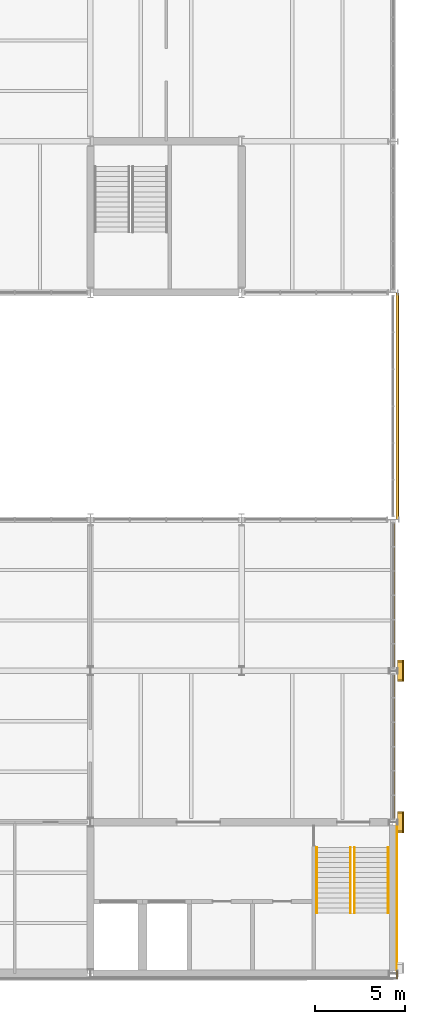
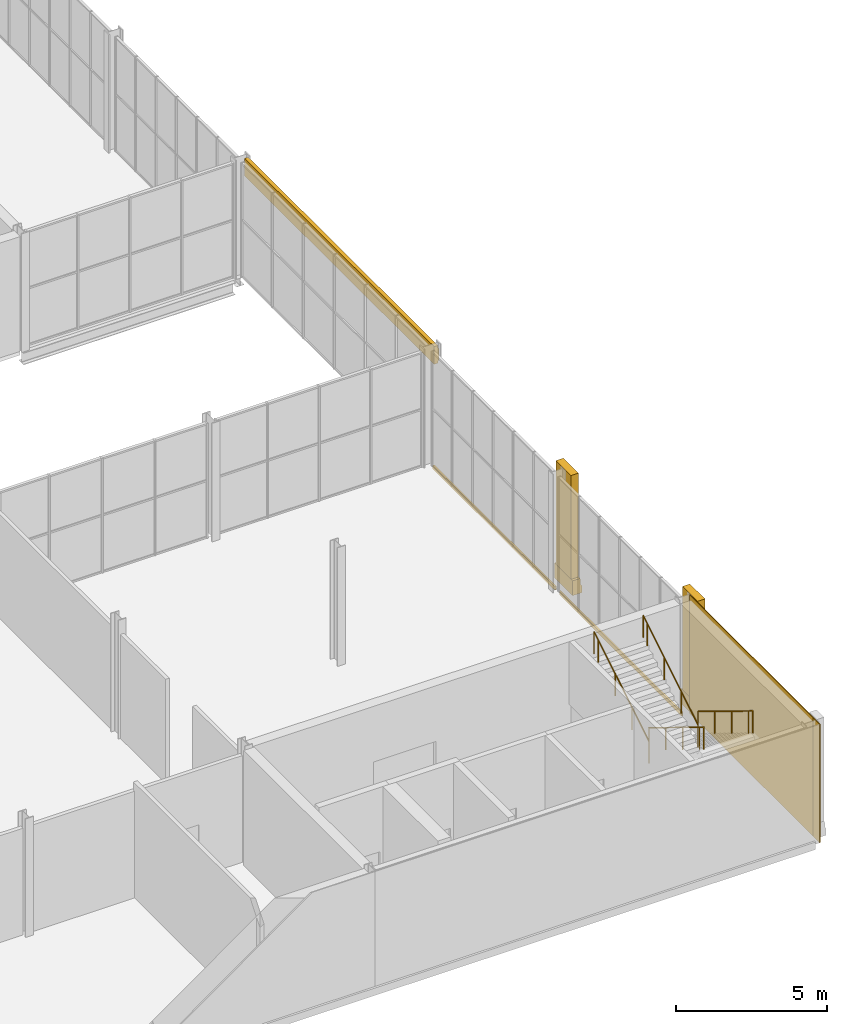
# One storey, part 57 of 61: 9 coverings, 4 railings.
"""IFC4 building model written with IfcOpenShell, lengths in metres."""

from ifc_helpers import new_model, si_unit, direction, frame, origin, origin_2d, place, context, subcontext, project, spatial, polyline, rectangle, circle, outline, extrude, material, layer, layer_set, type_object, element, save


model = new_model("IFC4")

# Units and contexts
model_context = context("Model", 3, precision=1e-05, world=origin(), true_north=direction((0.0, 1.0)))
body_context = subcontext(model_context, "Body", "Model", "MODEL_VIEW")
ifc_project = project(units=[si_unit("LENGTHUNIT", "METRE"), si_unit("AREAUNIT", "SQUARE_METRE"), si_unit("VOLUMEUNIT", "CUBIC_METRE"), si_unit("PLANEANGLEUNIT", "RADIAN"), si_unit("MASSUNIT", "GRAM", prefix="KILO")], contexts=[model_context])

# Site, building, storey
site_placement = place(None, origin())
site = spatial("IfcSite", under=ifc_project, at=site_placement, CompositionType="ELEMENT")
building_placement = place(site_placement, origin())
building = spatial("IfcBuilding", under=site, at=building_placement, Name="Galleria Vessillo Department Store", CompositionType="ELEMENT")
storey_placement = place(building_placement, frame((0.0, 0.0, 11.39990234375)))
storey = spatial("IfcBuildingStorey", under=building, at=storey_placement, Name="L02", CompositionType="ELEMENT", Elevation=11.39990234375)

# Coverings
ifc_material_1 = material(Name="Lime plaster (intonaco) ochre")
ifc_layer_1 = layer(ifc_material_1, 0.030029296875)
ifc_layer_set_1 = layer_set([ifc_layer_1], Name="Lime plaster (intonaco) ochre")
covering_type_1 = type_object("IfcCoveringType", Name="Lime plaster render 30 mm", PredefinedType="CLADDING", material=ifc_layer_set_1)
covering_1_placement = place(storey_placement, frame((117.81494140625, -0.06494140625, 0.0), z_axis=(0.0, 0.0, 1.0), x_axis=(1.0, 0.0, 0.0)))
element("IfcCovering", 1, at=covering_1_placement, inside=storey, type_object=covering_type_1, Name="Corner cladding L02 y=0 east face", PredefinedType="CLADDING", context=body_context, shape_type="SweptSolid", body=[
    extrude(rectangle(XDim=0.030029296875, YDim=0.429931640625, at=origin_2d()), origin(), (0.0, 0.0, 1.0), 4.800048828125),
])
ifc_material_2 = material(Name="Botticino limestone ashlar", Category="masonry")
ifc_layer_2 = layer(ifc_material_2, 0.280029296875)
ifc_layer_set_2 = layer_set([ifc_layer_2], Name="Botticino limestone ashlar")
covering_type_2 = type_object("IfcCoveringType", Name="Limestone giant pilaster 1000 x 280", PredefinedType="CLADDING", material=ifc_layer_set_2)
for number, where, z_axis, x_axis, name in (
    (2, (117.989990234375, 8.39990234375, 0.60009765625), (0.0, 0.0, 1.0), (1.0, 0.0, 0.0), "Giant pilaster E L02 y=8.4"),
    (3, (117.989990234375, 16.800048828125, 0.60009765625), (0.0, 0.0, 1.0), (1.0, 0.0, 0.0), "Giant pilaster E L02 y=16.8"),
):
    element("IfcCovering", number, at=place(storey_placement, frame(where, z_axis=z_axis, x_axis=x_axis)), inside=storey, type_object=covering_type_2, Name=name, PredefinedType="CLADDING", context=body_context, shape_type="SweptSolid", body=[
        extrude(rectangle(XDim=0.280029296875, YDim=1.0, at=origin_2d()), origin(), (0.0, 0.0, 1.0), 4.199951171875),
    ])
ifc_material_3 = material(Name="Botticino limestone ashlar", Category="masonry")
ifc_layer_3 = layer(ifc_material_3, 0.360107421875)
ifc_layer_set_3 = layer_set([ifc_layer_3], Name="Botticino limestone ashlar")
covering_type_3 = type_object("IfcCoveringType", Name="Limestone pilaster base 1200 x 360 x 600", PredefinedType="CLADDING", material=ifc_layer_set_3)
for number, where, z_axis, x_axis, name in (
    (4, (117.60009765625, 9.0, 0.0), (0.0, -1.0, 0.0), (1.0, 0.0, 0.0), "Pilaster base E y=8.4"),
    (5, (117.60009765625, 17.400146484375, 0.0), (0.0, -1.0, 0.0), (1.0, 0.0, 0.0), "Pilaster base E y=16.8"),
):
    element("IfcCovering", number, at=place(storey_placement, frame(where, z_axis=z_axis, x_axis=x_axis)), inside=storey, type_object=covering_type_3, Name=name, PredefinedType="CLADDING", context=body_context, shape_type="SweptSolid", body=[
        extrude(outline(polyline([(0.25, 0.0), (0.610107421875, 0.0), (0.610107421875, 0.280029296875), (0.56005859375, 0.340087890625), (0.56005859375, 0.52001953125), (0.530029296875, 0.60009765625), (0.25, 0.60009765625), (0.25, 0.0)])), origin(), (0.0, 0.0, 1.0), 1.199951171875),
    ])
ifc_material_4 = material(Name="Botticino limestone ashlar", Category="masonry")
ifc_layer_4 = layer(ifc_material_4, 0.179931640625)
ifc_layer_set_4 = layer_set([ifc_layer_4], Name="Botticino limestone ashlar")
covering_type_4 = type_object("IfcCoveringType", Name="Limestone portal head architrave 180 x 720", PredefinedType="MOLDING", material=ifc_layer_set_4)
covering_2_placement = place(storey_placement, frame((117.60009765625, 37.789306640625, 3.934326171875), z_axis=(0.0, -1.0, 0.0), x_axis=(1.0, 0.0, 0.0)))
element("IfcCovering", 6, at=covering_2_placement, inside=storey, type_object=covering_type_4, Name="Portal head architrave east", PredefinedType="MOLDING", context=body_context, shape_type="SweptSolid", body=[
    extrude(outline(polyline([(0.152099609375, 0.0), (0.2919921875, 0.0), (0.2919921875, 0.06005859375), (0.33203125, 0.1201171875), (0.33203125, 0.575927734375), (0.2919921875, 0.635986328125), (0.2919921875, 0.716064453125), (0.152099609375, 0.716064453125), (0.152099609375, 0.0)])), origin(), (0.0, 0.0, 1.0), 12.57861328125),
])
ifc_material_5 = material(Name="Botticino limestone ashlar", Category="masonry")
ifc_layer_5 = layer(ifc_material_5, 0.14990234375)
ifc_layer_set_5 = layer_set([ifc_layer_5], Name="Botticino limestone ashlar")
covering_type_5 = type_object("IfcCoveringType", Name="Limestone slab-edge fascia 150 mm", PredefinedType="CLADDING", material=ifc_layer_set_5)
covering_3_placement = place(storey_placement, frame((117.630126953125, 12.60009765625, -0.14990234375), z_axis=(0.0, 0.0, 1.0), x_axis=(1.0, 0.0, 0.0)))
element("IfcCovering", 7, at=covering_3_placement, inside=storey, type_object=covering_type_5, Name="Slab-edge fascia SE-S-L01-01", PredefinedType="CLADDING", context=body_context, shape_type="SweptSolid", body=[
    extrude(rectangle(XDim=0.06005859375, YDim=8.10009765625, at=origin_2d()), origin(), (0.0, 0.0, 1.0), 0.14990234375),
])
covering_4_placement = place(storey_placement, frame((117.630126953125, 20.998779296875, -0.14990234375), z_axis=(0.0, 0.0, 1.0), x_axis=(1.0, 0.0, 0.0)))
element("IfcCovering", 8, at=covering_4_placement, inside=storey, type_object=covering_type_5, Name="Slab-edge fascia SE-S-L01-02", PredefinedType="CLADDING", context=body_context, shape_type="SweptSolid", body=[
    extrude(rectangle(XDim=0.06005859375, YDim=8.097412109375, at=origin_2d()), origin(), (0.0, 0.0, 1.0), 0.14990234375),
])
ifc_material_6 = material(Name="Botticino limestone ashlar", Category="masonry")
ifc_layer_6 = layer(ifc_material_6, 0.030029296875)
ifc_layer_set_6 = layer_set([ifc_layer_6], Name="Botticino limestone ashlar")
covering_type_6 = type_object("IfcCoveringType", Name="Limestone wall cladding 30 mm", PredefinedType="CLADDING", material=ifc_layer_set_6)
covering_5_placement = place(storey_placement, frame((117.815185546875, 4.260009765625, 0.0), z_axis=(0.0, 0.0, 1.0), x_axis=(1.0, 0.0, 0.0)))
element("IfcCovering", 9, at=covering_5_placement, inside=storey, type_object=covering_type_6, Name="Wall cladding S-CW-GC-EAST-L02", PredefinedType="CLADDING", context=body_context, shape_type="SweptSolid", body=[
    extrude(rectangle(XDim=0.030029296875, YDim=8.219970703125, at=origin_2d()), origin(), (0.0, 0.0, 1.0), 4.800048828125),
])

# Railings
ifc_material_7 = material(Name="Stainless steel tube", Category="steel")
railing_type = type_object("IfcRailingType", Name="Stair handrail steel tube 48 mm", PredefinedType="HANDRAIL", material=ifc_material_7)
for number, where, name in (
    (10, (117.33984375, 7.0, 0.17138671875), "Handrail ST7 L02 flight 1A"),
    (11, (115.4599609375, 7.0, 0.17138671875), "Handrail ST7 L02 flight 1B"),
):
    element("IfcRailing", number, at=place(storey_placement, frame(where)), inside=storey, type_object=railing_type, Name=name, PredefinedType="HANDRAIL", context=body_context, shape_type="SweptSolid", body=[
        extrude(circle(Radius=0.02392578125, at=origin_2d()), frame((0.0, 0.0, 0.89599609375), z_axis=(0.0, -0.852849614702, 0.52215661894), x_axis=(1.0, 0.0, 0.0)), (0.0, 0.0, 1.0), 1.3134765625),
        extrude(circle(Radius=0.02392578125, at=origin_2d()), frame((0.0, -1.1201171875, 1.58154296875), z_axis=(0.0, -0.852798921012, 0.522239409008), x_axis=(1.0, 0.0, 0.0)), (0.0, 0.0, 1.0), 1.313232421875),
        extrude(circle(Radius=0.02392578125, at=origin_2d()), frame((0.0, -2.239990234375, 2.267578125), z_axis=(0.0, -0.852932391421, 0.522021393877), x_axis=(1.0, 0.0, 0.0)), (0.0, 0.0, 1.0), 1.313232421875),
        extrude(circle(Radius=0.02392578125, at=origin_2d()), frame((0.0, -3.360107421875, 2.953125), z_axis=(0.0, -0.852729557261, 0.522352660731), x_axis=(1.0, 0.0, 0.0)), (0.0, 0.0, 1.0), 0.328125),
        extrude(circle(Radius=0.02099609375, at=origin_2d()), origin(), (0.0, 0.0, 1.0), 0.871826171875),
        extrude(circle(Radius=0.02099609375, at=origin_2d()), frame((0.0, -1.1201171875, 0.685791015625)), (0.0, 0.0, 1.0), 0.871826171875),
        extrude(circle(Radius=0.02099609375, at=origin_2d()), frame((0.0, -2.239990234375, 1.37158203125)), (0.0, 0.0, 1.0), 0.871826171875),
        extrude(circle(Radius=0.02099609375, at=origin_2d()), frame((0.0, -3.360107421875, 2.05712890625)), (0.0, 0.0, 1.0), 0.871826171875),
        extrude(circle(Radius=0.02099609375, at=origin_2d()), frame((0.0, -3.639892578125, 2.228515625)), (0.0, 0.0, 1.0), 0.871826171875),
    ])
for number, where, name in (
    (12, (113.360107421875, 3.360107421875, 2.571533203125), "Handrail ST7 L02 flight 2A"),
    (13, (115.239990234375, 3.360107421875, 2.571533203125), "Handrail ST7 L02 flight 2B"),
):
    element("IfcRailing", number, at=place(storey_placement, frame(where)), inside=storey, type_object=railing_type, Name=name, PredefinedType="HANDRAIL", context=body_context, shape_type="SweptSolid", body=[
        extrude(circle(Radius=0.02392578125, at=origin_2d()), frame((0.0, 0.0, 0.89599609375), z_axis=(0.0, 0.852849614702, 0.52215661894), x_axis=(-1.0, 0.0, 0.0)), (0.0, 0.0, 1.0), 1.3134765625),
        extrude(circle(Radius=0.02392578125, at=origin_2d()), frame((0.0, 1.1201171875, 1.58154296875), z_axis=(0.0, 0.852798921012, 0.522239409008), x_axis=(-1.0, 0.0, 0.0)), (0.0, 0.0, 1.0), 1.313232421875),
        extrude(circle(Radius=0.02392578125, at=origin_2d()), frame((0.0, 2.239990234375, 2.267578125), z_axis=(0.0, 0.852932391421, 0.522021393877), x_axis=(-1.0, 0.0, 0.0)), (0.0, 0.0, 1.0), 1.313232421875),
        extrude(circle(Radius=0.02392578125, at=origin_2d()), frame((0.0, 3.360107421875, 2.953125), z_axis=(0.0, 0.852729557261, 0.522352660731), x_axis=(-1.0, 0.0, 0.0)), (0.0, 0.0, 1.0), 0.328125),
        extrude(circle(Radius=0.02099609375, at=origin_2d()), origin(), (0.0, 0.0, 1.0), 0.871826171875),
        extrude(circle(Radius=0.02099609375, at=origin_2d()), frame((0.0, 1.1201171875, 0.685791015625)), (0.0, 0.0, 1.0), 0.871826171875),
        extrude(circle(Radius=0.02099609375, at=origin_2d()), frame((0.0, 2.239990234375, 1.37158203125)), (0.0, 0.0, 1.0), 0.871826171875),
        extrude(circle(Radius=0.02099609375, at=origin_2d()), frame((0.0, 3.360107421875, 2.05712890625)), (0.0, 0.0, 1.0), 0.871826171875),
        extrude(circle(Radius=0.02099609375, at=origin_2d()), frame((0.0, 3.639892578125, 2.228515625)), (0.0, 0.0, 1.0), 0.871826171875),
    ])

save(model, "model.ifc")
